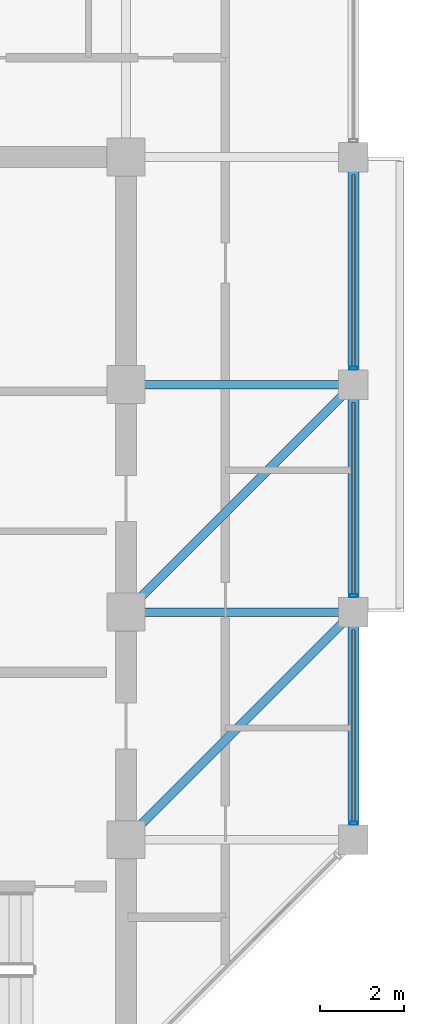
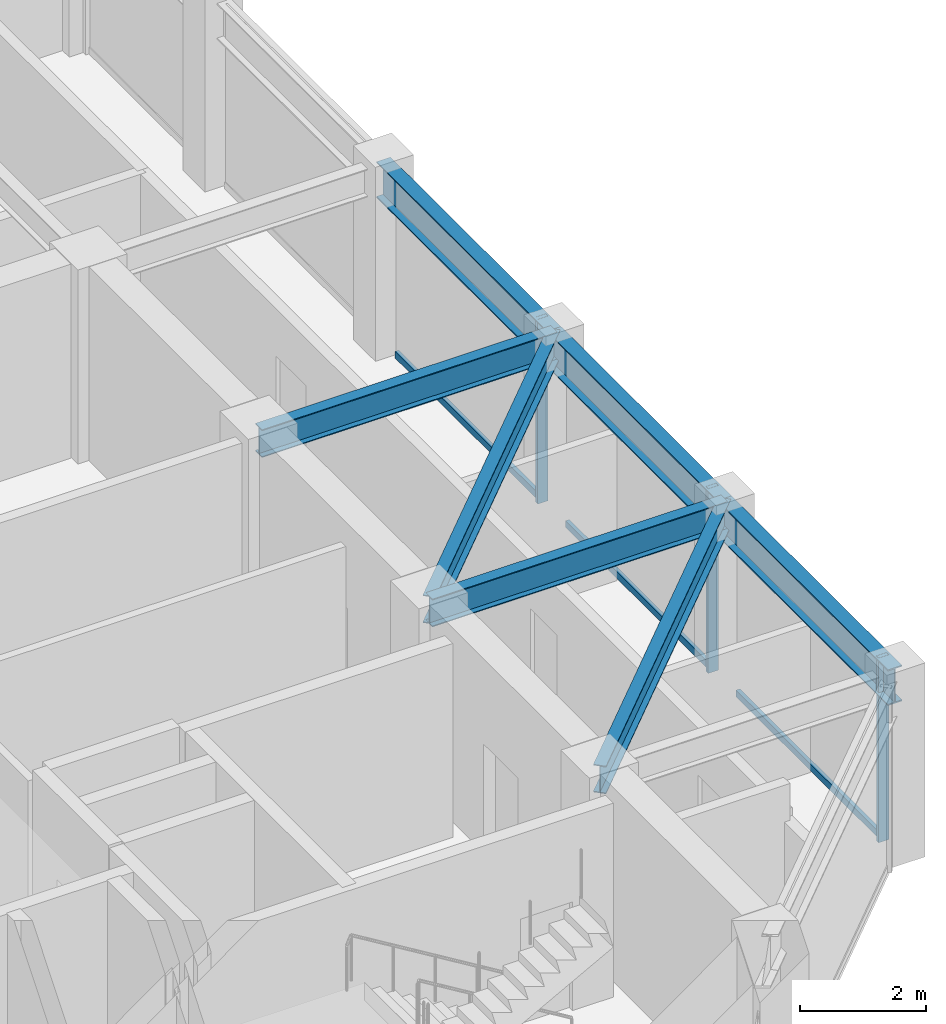
# One storey, part 13 of 30: 7 beams, 6 members, 1 element without a shape of its own.
"""IFC4 building model written with IfcOpenShell, lengths in metres."""

import ifcopenshell
import ifcopenshell.guid

model = None  # the IFC model being written
_history = None  # IfcOwnerHistory: only IFC2X3 demands one
_inside = {}  # id of a spatial element -> (the spatial element, [elements in it])
_under = {}  # id of a project, library or spatial element -> (it, [spatial elements below it])
_declared = {}  # id of a project -> (the project, [libraries it declares])
_typed = {}  # id of a type object -> (the type object, [elements of that type])
_made_of = {}  # id of a material, layer set ... -> (it, [elements and type objects made of it])


def new_model(schema):
    """Start an empty IFC model of exactly this schema.

    Asked for "IFC4X3", IfcOpenShell would pick the latest addendum, in which some entities
    have other attributes; the version numbers below select the first issue.
    IFC2X3 requires an IfcOwnerHistory on every rooted entity: one is made here for all.
    """
    global model, _history
    if schema == "IFC4X3":
        model = ifcopenshell.file(schema_version=(4, 3, 0, 0))
    else:
        model = ifcopenshell.file(schema=schema)
    _inside.clear()
    _under.clear()
    _declared.clear()
    _typed.clear()
    _made_of.clear()
    _history = None
    if model.schema == "IFC2X3":
        org = make("IfcOrganization", Name="unknown")
        user = make(
            "IfcPersonAndOrganization",
            ThePerson=make("IfcPerson", FamilyName="unknown"),
            TheOrganization=org,
        )
        app = make(
            "IfcApplication",
            ApplicationDeveloper=org,
            Version="unknown",
            ApplicationFullName="unknown",
            ApplicationIdentifier="unknown",
        )
        _history = make(
            "IfcOwnerHistory",
            OwningUser=user,
            OwningApplication=app,
            ChangeAction="ADDED",
            CreationDate=0,
        )
    return model


def make(cls, **values):
    """One entity of the class cls with the attributes given. An attribute that is None is left unset."""
    return model.create_entity(
        cls, **{name: value for name, value in values.items() if value is not None}
    )


def rooted(cls, **values):
    """An entity with a GlobalId (a new one), such as an element, a storey or a relation."""
    return make(cls, GlobalId=ifcopenshell.guid.new(), OwnerHistory=_history, **values)


def si_unit(unit_type, name, prefix=None):
    """IfcSIUnit, for example si_unit("LENGTHUNIT", "METRE", prefix="MILLI")."""
    return make("IfcSIUnit", UnitType=unit_type, Prefix=prefix, Name=name)


def assignment(units):
    """IfcUnitAssignment: the units of a project."""
    return None if units is None else make("IfcUnitAssignment", Units=units)


def point(xyz):
    """IfcCartesianPoint."""
    return None if xyz is None else make("IfcCartesianPoint", Coordinates=xyz)


def direction(xyz):
    """IfcDirection."""
    return None if xyz is None else make("IfcDirection", DirectionRatios=xyz)


def frame(location, z_axis=None, x_axis=None):
    """IfcAxis2Placement3D, a coordinate frame: its origin and axes. An axis left out is left unset."""
    return make(
        "IfcAxis2Placement3D",
        Location=point(location),
        Axis=direction(z_axis),
        RefDirection=direction(x_axis),
    )


def frame_2d(location, x_axis=None):
    """IfcAxis2Placement2D, a coordinate frame in the plane: its origin and x axis."""
    return make(
        "IfcAxis2Placement2D", Location=point(location), RefDirection=direction(x_axis)
    )


def origin():
    """The frame at (0, 0, 0) with its axes left unset."""
    return frame((0.0, 0.0, 0.0))


def origin_2d():
    """The frame at (0, 0) in the plane with its x axis left unset."""
    return frame_2d((0.0, 0.0))


def place(relative_to, where):
    """IfcLocalPlacement: puts the frame where relative to a parent placement (None: the world)."""
    return make(
        "IfcLocalPlacement", PlacementRelTo=relative_to, RelativePlacement=where
    )


def context(
    kind, dimensions, precision=None, world=None, true_north=None, identifier=None
):
    """IfcGeometricRepresentationContext, for example the 3D "Model" context."""
    return make(
        "IfcGeometricRepresentationContext",
        ContextIdentifier=identifier,
        ContextType=kind,
        CoordinateSpaceDimension=dimensions,
        Precision=precision,
        WorldCoordinateSystem=world,
        TrueNorth=true_north,
    )


def subcontext(parent, identifier, kind, view, scale=None):
    """IfcGeometricRepresentationSubContext, for example "Body" below "Model"."""
    return make(
        "IfcGeometricRepresentationSubContext",
        ContextIdentifier=identifier,
        ContextType=kind,
        ParentContext=parent,
        TargetScale=scale,
        TargetView=view,
    )


def project(units=None, contexts=None):
    """IfcProject with its units and contexts."""
    return rooted(
        "IfcProject",
        Name="project",
        RepresentationContexts=contexts,
        UnitsInContext=assignment(units),
    )


def spatial(cls, under=None, at=None, **own):
    """A site, building, storey or space (cls), placed at a placement, below another one or the project."""
    s = rooted(cls, ObjectPlacement=at, **own)
    if under is not None:
        _under.setdefault(under.id(), (under, []))[1].append(s)
    return s


def profile(cls, at=None, kind="AREA", **sizes):
    """A parametric profile (cls). Its sizes go by their IFC names, for example OverallWidth=200.0."""
    return make(cls, ProfileType=kind, Position=at, **sizes)


def hollow_rectangle(**sizes):
    """IfcRectangleHollowProfileDef."""
    return profile("IfcRectangleHollowProfileDef", **sizes)


def i_section(**sizes):
    """IfcIShapeProfileDef."""
    return profile("IfcIShapeProfileDef", **sizes)


def extrude(swept, where, along, depth):
    """IfcExtrudedAreaSolid: the profile swept, set in the frame where, extruded along a direction by depth."""
    return make(
        "IfcExtrudedAreaSolid",
        SweptArea=swept,
        Position=where,
        ExtrudedDirection=direction(along),
        Depth=depth,
    )


def shape(context_of_items, identifier, shape_type, items):
    """IfcShapeRepresentation: the items that make up one representation, for example the "Body"."""
    return make(
        "IfcShapeRepresentation",
        ContextOfItems=context_of_items,
        RepresentationIdentifier=identifier,
        RepresentationType=shape_type,
        Items=items,
    )


def material(Name=None, Category=None):
    """IfcMaterial."""
    return make("IfcMaterial", Name=Name, Category=Category)


def layer(
    of_material, thickness, ventilated=None, Name=None, Category=None, Priority=None
):
    """IfcMaterialLayer: one layer of a wall or slab, of a material (None: an air gap)."""
    return make(
        "IfcMaterialLayer",
        Material=of_material,
        LayerThickness=thickness,
        IsVentilated=ventilated,
        Name=Name,
        Category=Category,
        Priority=Priority,
    )


def layer_set(layers, Name=None):
    """IfcMaterialLayerSet."""
    return make("IfcMaterialLayerSet", MaterialLayers=layers, LayerSetName=Name)


def material_profile(
    of_material, cross_section, Name=None, Category=None, Priority=None
):
    """IfcMaterialProfile: a cross section and its material."""
    return make(
        "IfcMaterialProfile",
        Name=Name,
        Material=of_material,
        Profile=cross_section,
        Priority=Priority,
        Category=Category,
    )


def profile_set(profiles, Name=None, composite=None):
    """IfcMaterialProfileSet."""
    return make(
        "IfcMaterialProfileSet",
        Name=Name,
        MaterialProfiles=profiles,
        CompositeProfile=composite,
    )


def made_of(thing, what):
    """Note that an element or type object is made of a material, layer set ...; save() writes the relation."""
    if what is not None:
        _made_of.setdefault(what.id(), (what, []))[1].append(thing)
    return thing


def type_object(cls, material=None, **own):
    """A type object (cls), such as IfcWallType, which elements share."""
    return made_of(rooted(cls, **own), material)


def element(
    cls,
    number,
    at=None,
    inside=None,
    cuts=None,
    type_object=None,
    material=None,
    context=None,
    identifier="Body",
    shape_type=None,
    held_by="IfcProductDefinitionShape",
    body=None,
    shapes=None,
    **own,
):
    """One element of the class cls, such as IfcWall. Its Tag is "e" and its number.

    at: its placement. inside: the storey or other place that contains it. cuts: it is an
    opening in that element (IfcRelVoidsElement). A single representation is given by context,
    identifier, shape_type and body (its items); several are given by shapes. held_by: the class
    of the entity that holds the representations. save() writes the other relations.
    """
    e = rooted(cls, Tag="e%d" % number, ObjectPlacement=at, **own)
    if body is not None:
        shapes = [shape(context, identifier, shape_type, body)]
    if shapes is not None:
        e.Representation = make(held_by, Representations=shapes)
    if inside is not None:
        _inside.setdefault(inside.id(), (inside, []))[1].append(e)
    if cuts is not None:
        rooted(
            "IfcRelVoidsElement", RelatingBuildingElement=cuts, RelatedOpeningElement=e
        )
    if type_object is not None:
        _typed.setdefault(type_object.id(), (type_object, []))[1].append(e)
    return made_of(e, material)


def aggregate(whole, parts):
    """IfcRelAggregates: a whole, such as a stair, and the parts it consists of."""
    return rooted("IfcRelAggregates", RelatingObject=whole, RelatedObjects=parts)


def save(model, path):
    """Write the relations noted so far, then the file.

    IfcRelAggregates (storeys below a building ...), IfcRelContainedInSpatialStructure (elements
    in a storey), IfcRelDefinesByType, IfcRelAssociatesMaterial and IfcRelDeclares: one each for
    every whole, place, type object, material and project.
    """
    for whole, parts in _under.values():
        aggregate(whole, parts)
    for where, things in _inside.values():
        rooted(
            "IfcRelContainedInSpatialStructure",
            RelatedElements=things,
            RelatingStructure=where,
        )
    for kind, things in _typed.values():
        rooted("IfcRelDefinesByType", RelatedObjects=things, RelatingType=kind)
    for what, things in _made_of.values():
        rooted("IfcRelAssociatesMaterial", RelatedObjects=things, RelatingMaterial=what)
    for by, libraries in _declared.values():
        rooted("IfcRelDeclares", RelatingContext=by, RelatedDefinitions=libraries)
    model.write(path)


model = new_model("IFC4")

# Units and contexts
model_context = context("Model", 3, precision=1e-05, world=origin(), true_north=direction((0.0, 1.0)))
body_context = subcontext(model_context, "Body", "Model", "MODEL_VIEW")
ifc_project = project(units=[si_unit("LENGTHUNIT", "METRE"), si_unit("AREAUNIT", "SQUARE_METRE"), si_unit("VOLUMEUNIT", "CUBIC_METRE"), si_unit("PLANEANGLEUNIT", "RADIAN"), si_unit("MASSUNIT", "GRAM", prefix="KILO")], contexts=[model_context])

# Site, building, storey
site_placement = place(None, origin())
site = spatial("IfcSite", under=ifc_project, at=site_placement, CompositionType="ELEMENT")
building_placement = place(site_placement, origin())
building = spatial("IfcBuilding", under=site, at=building_placement, Name="Surkhivell Harbour Commons", CompositionType="ELEMENT")
storey_placement = place(building_placement, frame((0.0, 0.0, 281.25)))
storey = spatial("IfcBuildingStorey", under=building, at=storey_placement, Name="L73", CompositionType="ELEMENT", Elevation=281.25)

# Beams
ifc_material_1 = material(Name="Steel S355", Category="steel")
ifc_material_profile_1 = material_profile(ifc_material_1, i_section(OverallWidth=0.2099609375, OverallDepth=0.537109375, WebThickness=0.0107421875, FlangeThickness=0.017333984375, at=origin_2d()), Name="UB533x210x101")
ifc_profile_set_1 = profile_set([ifc_material_profile_1], Name="Steel S355")
beam_type_1 = type_object("IfcBeamType", Name="BM-GRD-533B", PredefinedType="BEAM", material=ifc_profile_set_1)
beam_1_placement = place(storey_placement, frame((10.800048828125, -5.39990234375, 3.301513671875), z_axis=(0.707106781187, 0.707106781187, 0.0), x_axis=(-0.707106781187, 0.707106781187, 0.0)))
element("IfcBeam", 1, at=beam_1_placement, inside=storey, type_object=beam_type_1, Name="L73 Floor Girder (10.8,-5.4)", PredefinedType="BEAM", context=body_context, shape_type="SweptSolid", body=[
    extrude(i_section(OverallWidth=0.2099609375, OverallDepth=0.537109375, WebThickness=0.0107421875, FlangeThickness=0.017333984375, at=origin_2d()), origin(), (0.0, 0.0, 1.0), 7.63671875),
])
beam_2_placement = place(storey_placement, frame((10.800048828125, 0.0, 3.301513671875), z_axis=(1.0, 0.0, 0.0), x_axis=(0.0, 1.0, 0.0)))
element("IfcBeam", 2, at=beam_2_placement, inside=storey, type_object=beam_type_1, Name="L73 Floor Girder (10.8,0.0)", PredefinedType="BEAM", context=body_context, shape_type="SweptSolid", body=[
    extrude(i_section(OverallWidth=0.2099609375, OverallDepth=0.537109375, WebThickness=0.0107421875, FlangeThickness=0.017333984375, at=origin_2d()), origin(), (0.0, 0.0, 1.0), 5.39990234375),
])
beam_3_placement = place(storey_placement, frame((10.800048828125, 0.0, 3.301513671875), z_axis=(0.707106781187, 0.707106781187, 0.0), x_axis=(-0.707106781187, 0.707106781187, 0.0)))
element("IfcBeam", 3, at=beam_3_placement, inside=storey, type_object=beam_type_1, Name="L73 Floor Girder (10.8,0.0)", PredefinedType="BEAM", context=body_context, shape_type="SweptSolid", body=[
    extrude(i_section(OverallWidth=0.2099609375, OverallDepth=0.537109375, WebThickness=0.0107421875, FlangeThickness=0.017333984375, at=origin_2d()), origin(), (0.0, 0.0, 1.0), 7.63671875),
])
beam_4_placement = place(storey_placement, frame((10.800048828125, 5.39990234375, 3.301513671875), z_axis=(1.0, 0.0, 0.0), x_axis=(0.0, 1.0, 0.0)))
element("IfcBeam", 4, at=beam_4_placement, inside=storey, type_object=beam_type_1, Name="L73 Floor Girder (10.8,5.4)", PredefinedType="BEAM", context=body_context, shape_type="SweptSolid", body=[
    extrude(i_section(OverallWidth=0.2099609375, OverallDepth=0.537109375, WebThickness=0.0107421875, FlangeThickness=0.017333984375, at=origin_2d()), origin(), (0.0, 0.0, 1.0), 5.39990234375),
])
ifc_material_profile_2 = material_profile(ifc_material_1, i_section(OverallWidth=0.256103515625, OverallDepth=0.693115234375, WebThickness=0.014404296875, FlangeThickness=0.023681640625, at=origin_2d()), Name="UB686x254x170")
ifc_profile_set_2 = profile_set([ifc_material_profile_2], Name="Steel S355")
beam_type_2 = type_object("IfcBeamType", Name="BM-SPN-686", PredefinedType="SPANDREL", material=ifc_profile_set_2)
for number, where, z_axis, x_axis, name in (
    (5, (16.199951171875, -5.39990234375, 3.223388671875), (0.0, 1.0, 0.0), (-1.0, 0.0, 0.0), "L73 Tube Spandrel (16.2,-5.4)"),
    (6, (16.199951171875, 0.0, 3.223388671875), (0.0, 1.0, 0.0), (-1.0, 0.0, 0.0), "L73 Tube Spandrel (16.2,0.0)"),
):
    element("IfcBeam", number, at=place(storey_placement, frame(where, z_axis=z_axis, x_axis=x_axis)), inside=storey, type_object=beam_type_2, Name=name, PredefinedType="SPANDREL", context=body_context, shape_type="SweptSolid", body=[
        extrude(i_section(OverallWidth=0.256103515625, OverallDepth=0.693115234375, WebThickness=0.014404296875, FlangeThickness=0.023681640625, at=origin_2d()), origin(), (0.0, 0.0, 1.0), 5.39990234375),
    ])
beam_5_placement = place(storey_placement, frame((16.199951171875, 5.39990234375, 3.223388671875), z_axis=(0.0, 1.0, 0.0), x_axis=(-1.0, 0.0, 0.0)))
element("IfcBeam", 7, at=beam_5_placement, inside=storey, type_object=beam_type_2, Name="L73 Tube Spandrel (16.2,5.4)", PredefinedType="SPANDREL", context=body_context, shape_type="SweptSolid", body=[
    extrude(i_section(OverallWidth=0.256103515625, OverallDepth=0.693115234375, WebThickness=0.014404296875, FlangeThickness=0.023681640625, at=origin_2d()), origin(), (0.0, 0.0, 1.0), 5.400146484375),
])

# Curtain wall, members
ifc_material_2 = material(Name="Anodised pale-metal aluminium and insulated glazing", Category="aluminium")
ifc_layer = layer(ifc_material_2, 0.175048828125)
ifc_layer_set = layer_set([ifc_layer], Name="Anodised pale-metal aluminium and insulated glazing")
curtain_wall_type = type_object("IfcCurtainWallType", Name="CW-SYS-Z4", PredefinedType="NOTDEFINED", material=ifc_layer_set)
curtain_wall_placement = place(storey_placement, origin())
curtain_wall = element("IfcCurtainWall", 8, at=curtain_wall_placement, inside=storey, type_object=curtain_wall_type, Name="L73 Curtain Wall CW-L73-E02", PredefinedType="NOTDEFINED")
ifc_material_3 = material(Name="Anodised pale-metal aluminium alloy 6063-T6", Category="aluminium")
ifc_material_profile_3 = material_profile(ifc_material_3, hollow_rectangle(XDim=0.074951171875, YDim=0.18994140625, WallThickness=0.00390625, at=origin_2d()), Name="ALU-MULL-75x190")
ifc_profile_set_3 = profile_set([ifc_material_profile_3], Name="Anodised pale-metal aluminium alloy 6063-T6")
member_type_1 = type_object("IfcMemberType", Name="CWM-190", PredefinedType="MULLION", material=ifc_profile_set_3)
member_1_placement = place(storey_placement, frame((16.199951171875, -5.010498046875, 0.0), z_axis=(0.0, 0.0, 1.0), x_axis=(0.0, 1.0, 0.0)))
member_1 = element("IfcMember", 9, at=member_1_placement, type_object=member_type_1, Name="CW-Z4 mullion 1", PredefinedType="MULLION", context=body_context, shape_type="SweptSolid", body=[
    extrude(hollow_rectangle(XDim=0.074951171875, YDim=0.18994140625, WallThickness=0.00390625, at=origin_2d()), origin(), (0.0, 0.0, 1.0), 3.570068359375),
])
member_2_placement = place(storey_placement, frame((16.199951171875, 0.389404296875, 0.0), z_axis=(0.0, 0.0, 1.0), x_axis=(0.0, 1.0, 0.0)))
member_2 = element("IfcMember", 10, at=member_2_placement, type_object=member_type_1, Name="CW-Z4 mullion 2", PredefinedType="MULLION", context=body_context, shape_type="SweptSolid", body=[
    extrude(hollow_rectangle(XDim=0.074951171875, YDim=0.18994140625, WallThickness=0.00390625, at=origin_2d()), origin(), (0.0, 0.0, 1.0), 3.570068359375),
])
member_3_placement = place(storey_placement, frame((16.199951171875, 5.78955078125, 0.0), z_axis=(0.0, 0.0, 1.0), x_axis=(0.0, 1.0, 0.0)))
member_3 = element("IfcMember", 11, at=member_3_placement, type_object=member_type_1, Name="CW-Z4 mullion 3", PredefinedType="MULLION", context=body_context, shape_type="SweptSolid", body=[
    extrude(hollow_rectangle(XDim=0.074951171875, YDim=0.18994140625, WallThickness=0.00390625, at=origin_2d()), origin(), (0.0, 0.0, 1.0), 3.570068359375),
])
ifc_material_4 = material(Name="Champagne anodised aluminium alloy 6063-T6", Category="aluminium")
ifc_material_profile_4 = material_profile(ifc_material_4, hollow_rectangle(XDim=0.070068359375, YDim=0.1298828125, WallThickness=0.00341796875, at=origin_2d()), Name="ALU-TRAN-70x130")
ifc_profile_set_4 = profile_set([ifc_material_profile_4], Name="Champagne anodised aluminium alloy 6063-T6")
member_type_2 = type_object("IfcMemberType", Name="CWT-130", PredefinedType="USERDEFINED", material=ifc_profile_set_4)
member_4_placement = place(storey_placement, frame((16.199951171875, -4.972900390625, 0.06494140625), z_axis=(0.0, 1.0, 0.0), x_axis=(-1.0, 0.0, 0.0)))
member_4 = element("IfcMember", 12, at=member_4_placement, type_object=member_type_2, Name="CW-Z4 transom 1.1", ObjectType="TRANSOM", PredefinedType="USERDEFINED", context=body_context, shape_type="SweptSolid", body=[
    extrude(hollow_rectangle(XDim=0.070068359375, YDim=0.1298828125, WallThickness=0.00341796875, at=origin_2d()), origin(), (0.0, 0.0, 1.0), 4.5458984375),
])
member_5_placement = place(storey_placement, frame((16.199951171875, 0.427001953125, 0.06494140625), z_axis=(0.0, 1.0, 0.0), x_axis=(-1.0, 0.0, 0.0)))
member_5 = element("IfcMember", 13, at=member_5_placement, type_object=member_type_2, Name="CW-Z4 transom 2.1", ObjectType="TRANSOM", PredefinedType="USERDEFINED", context=body_context, shape_type="SweptSolid", body=[
    extrude(hollow_rectangle(XDim=0.070068359375, YDim=0.1298828125, WallThickness=0.00341796875, at=origin_2d()), origin(), (0.0, 0.0, 1.0), 4.5458984375),
])
member_6_placement = place(storey_placement, frame((16.199951171875, 5.826904296875, 0.06494140625), z_axis=(0.0, 1.0, 0.0), x_axis=(-1.0, 0.0, 0.0)))
member_6 = element("IfcMember", 14, at=member_6_placement, type_object=member_type_2, Name="CW-Z4 transom 3.1", ObjectType="TRANSOM", PredefinedType="USERDEFINED", context=body_context, shape_type="SweptSolid", body=[
    extrude(hollow_rectangle(XDim=0.070068359375, YDim=0.1298828125, WallThickness=0.00341796875, at=origin_2d()), origin(), (0.0, 0.0, 1.0), 4.546142578125),
])
aggregate(curtain_wall, [member_1, member_4, member_2, member_5, member_3, member_6])

save(model, "model.ifc")
